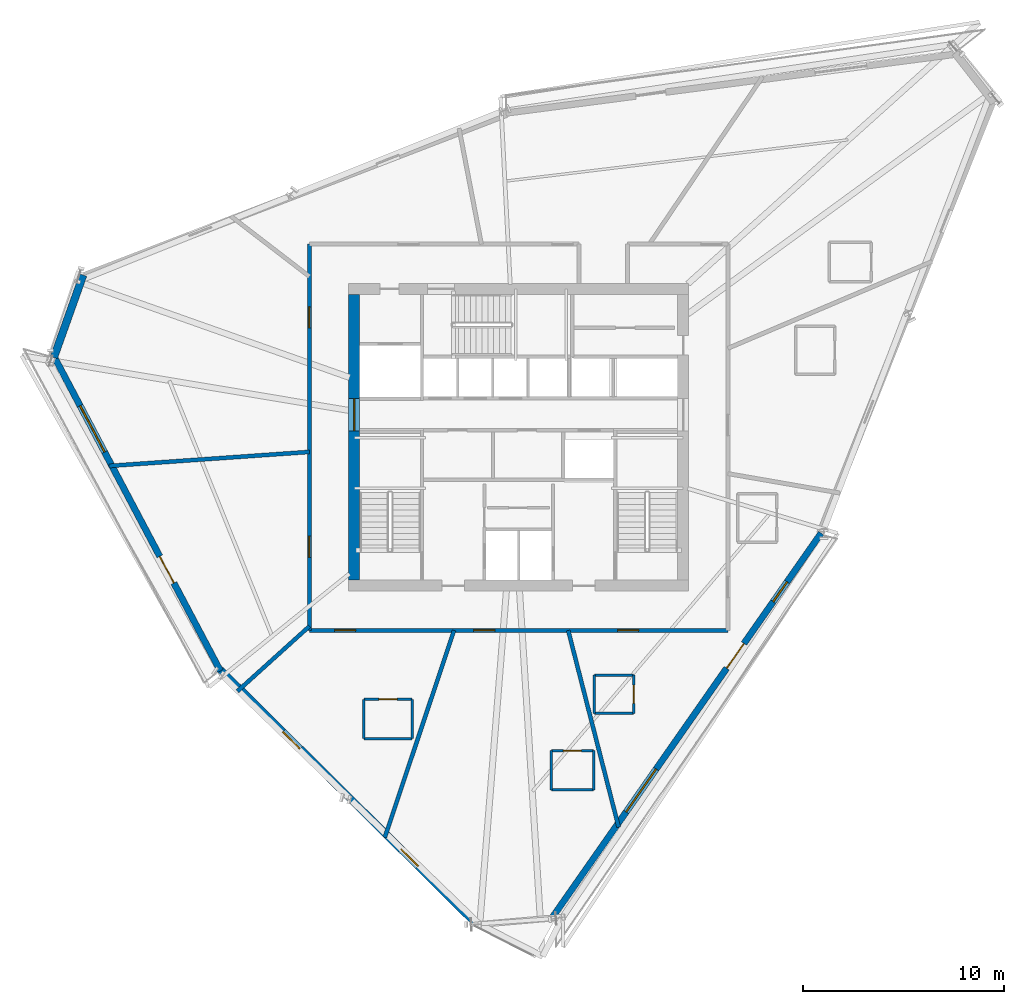
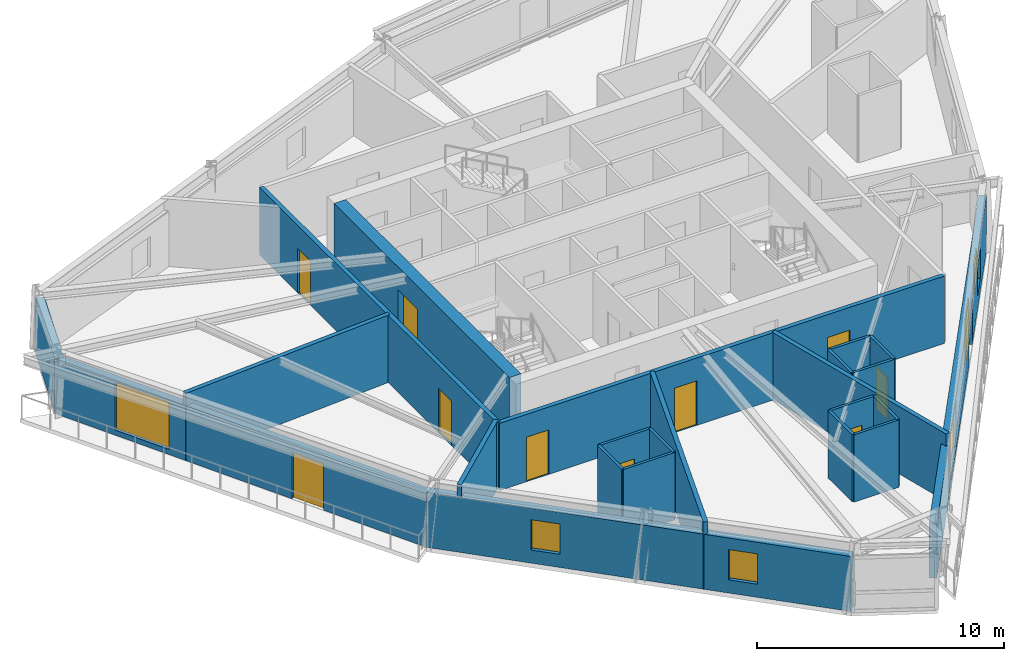
# One storey, part 7 of 13: 23 walls, 11 doors, 5 windows, 16 openings.
"""IFC4 building model written with IfcOpenShell, lengths in metres."""

from ifc_helpers import new_model, si_unit, direction, frame, frame_2d, origin, place, context, subcontext, project, spatial, rectangle, extrude, source, transform, mapped, material, layer, layer_set, type_object, type_shapes, element, fill, save


model = new_model("IFC4")

# Units and contexts
model_context = context("Model", 3, precision=1e-05, world=origin(), true_north=direction((0.0, 1.0)))
body_context = subcontext(model_context, "Body", "Model", "MODEL_VIEW")
ifc_project = project(units=[si_unit("LENGTHUNIT", "METRE"), si_unit("AREAUNIT", "SQUARE_METRE"), si_unit("VOLUMEUNIT", "CUBIC_METRE"), si_unit("PLANEANGLEUNIT", "RADIAN"), si_unit("MASSUNIT", "GRAM", prefix="KILO")], contexts=[model_context])

# Site, building, storey
site_placement = place(None, origin())
site = spatial("IfcSite", under=ifc_project, at=site_placement, CompositionType="ELEMENT")
building_placement = place(site_placement, origin())
building = spatial("IfcBuilding", under=site, at=building_placement, Name="Olszyna Solenne Hotel", CompositionType="ELEMENT")
storey_placement = place(building_placement, frame((0.0, 0.0, 189.199951171875)))
storey = spatial("IfcBuildingStorey", under=building, at=storey_placement, Name="L50", CompositionType="ELEMENT", Elevation=189.199951171875)

# Wall, opening, door
ifc_material_1 = material(Name="Concrete C50/60", Category="concrete")
ifc_layer_1 = layer(ifc_material_1, 0.550048828125, Name="Concrete C50/60")
ifc_layer_set_1 = layer_set([ifc_layer_1], Name="Concrete C50/60")
wall_type_1 = type_object("IfcWallType", Name="WL-CR550", PredefinedType="SHEAR", material=ifc_layer_set_1)
wall_1_placement = place(storey_placement, frame((29.824951171875, 19.5, 0.0), z_axis=(0.0, 0.0, 1.0), x_axis=(0.0, 1.0, 0.0)))
wall_1 = element("IfcWall", 1, at=wall_1_placement, inside=storey, type_object=wall_type_1, Name="Core shear wall WL-CR550 CRW-L50-W", PredefinedType="SHEAR", context=body_context, shape_type="SweptSolid", body=[
    extrude(rectangle(XDim=14.199951171875, YDim=0.550048828125, at=frame_2d((7.10009765625, 0.0))), origin(), (0.0, 0.0, 1.0), 3.330078125),
])
opening_1_placement = place(wall_1_placement, frame((7.419921875, 0.0, 0.0)))
opening_1 = element("IfcOpeningElement", 2, at=opening_1_placement, cuts=wall_1, Name="Opening LHD-L50-W", PredefinedType="OPENING", context=body_context, shape_type="SweptSolid", body=[
    extrude(rectangle(XDim=1.60009765625, YDim=2.199951171875, at=frame_2d((0.800048828125, 1.10009765625))), frame((0.0, 0.28515625, 0.0), z_axis=(0.0, -1.0, 0.0), x_axis=(1.0, 0.0, 0.0)), (0.0, 0.0, 1.0), 0.570068359375),
])
ifc_material_2 = material(Name="Timber hardwood", Category="wood")
door_type_1 = type_object("IfcDoorType", Name="DR-CR1", OperationType="DOUBLE_DOOR_SINGLE_SWING", PredefinedType="DOOR", material=ifc_material_2)
shared_shape_1 = source(origin(), body_context, "Body", "SweptSolid", [
    extrude(rectangle(XDim=1.60009765625, YDim=2.199951171875, at=frame_2d((0.800048828125, 1.10009765625))), frame((0.0, 0.02490234375, 0.0), z_axis=(0.0, -1.0, 0.0), x_axis=(1.0, 0.0, 0.0)), (0.0, 0.0, 1.0), 0.050048828125),
])
type_shapes(door_type_1, [shared_shape_1])
door_1_placement = place(opening_1_placement, origin())
door_1 = element("IfcDoor", 3, at=door_1_placement, inside=storey, type_object=door_type_1, Name="Passenger lift lobby West fire door LHD-L50-W", OperationType="DOUBLE_DOOR_SINGLE_SWING", OverallHeight=2.199951171875, OverallWidth=1.60009765625, PredefinedType="DOOR", context=body_context, shape_type="MappedRepresentation", body=[
    mapped(shared_shape_1, transform((0.0, 0.0, 0.0), x_axis=(1.0, 0.0, 0.0), y_axis=(0.0, 1.0, 0.0), z_axis=(0.0, 0.0, 1.0), scale=1.0)),
])
fill(opening_1, door_1)

# Wall, openings, windows, door
ifc_material_3 = material(Name="Precast concrete C45/55", Category="concrete")
ifc_layer_2 = layer(ifc_material_3, 0.320068359375, Name="Precast concrete C45/55")
ifc_layer_set_2 = layer_set([ifc_layer_2], Name="Precast concrete C45/55")
wall_type_2 = type_object("IfcWallType", Name="WL-EX320", PredefinedType="SOLIDWALL", material=ifc_layer_set_2)
wall_2_placement = place(storey_placement, frame((53.032470703125, 21.8349609375, 0.0), z_axis=(0.0, 0.0, 1.0), x_axis=(-0.573201612269, -0.819414371178, 0.0)))
wall_2 = element("IfcWall", 4, at=wall_2_placement, inside=storey, type_object=wall_type_2, Name="Exterior terracotta-precast frame wall WL-EX320 EW-L50-01", PredefinedType="SOLIDWALL", context=body_context, shape_type="SweptSolid", body=[
    extrude(rectangle(XDim=23.254638671875, YDim=0.320068359375, at=frame_2d((11.62744140625, 0.0))), origin(), (0.0, 0.0, 1.0), 2.72216796875),
])
opening_2_placement = place(wall_2_placement, frame((6.69091796875, 0.0, 0.0)))
opening_2 = element("IfcOpeningElement", 5, at=opening_2_placement, cuts=wall_2, Name="Opening LDG-L50-3", PredefinedType="OPENING", context=body_context, shape_type="SweptSolid", body=[
    extrude(rectangle(XDim=1.5, YDim=2.300048828125, at=frame_2d((0.75, 1.14990234375))), frame((0.0, 0.169921875, 0.0), z_axis=(0.0, -1.0, 0.0), x_axis=(1.0, 0.0, 0.0)), (0.0, 0.0, 1.0), 0.340087890625),
])
opening_3_placement = place(wall_2_placement, frame((14.30810546875, 0.0, 0.251953125)))
opening_3 = element("IfcOpeningElement", 6, at=opening_3_placement, cuts=wall_2, Name="Opening WN-L50-315", PredefinedType="OPENING", context=body_context, shape_type="SweptSolid", body=[
    extrude(rectangle(XDim=2.60009765625, YDim=2.35009765625, at=frame_2d((1.300048828125, 1.175048828125))), frame((0.0, 0.169921875, 0.0), z_axis=(0.0, -1.0, 0.0), x_axis=(1.0, 0.0, 0.0)), (0.0, 0.0, 1.0), 0.340087890625),
])
opening_4_placement = place(wall_2_placement, frame((2.95703125, 0.0, 0.64990234375)))
opening_4 = element("IfcOpeningElement", 7, at=opening_4_placement, cuts=wall_2, Name="Opening WN-L50-324", PredefinedType="OPENING", context=body_context, shape_type="SweptSolid", body=[
    extrude(rectangle(XDim=1.199951171875, YDim=1.5, at=frame_2d((0.60009765625, 0.75))), frame((0.0, 0.169921875, 0.0), z_axis=(0.0, -1.0, 0.0), x_axis=(1.0, 0.0, 0.0)), (0.0, 0.0, 1.0), 0.340087890625),
])
ifc_material_4 = material(Name="Low-E triple glazing", Category="glass")
window_type_1 = type_object("IfcWindowType", Name="WN-B1", PartitioningType="SINGLE_PANEL", PredefinedType="WINDOW", material=ifc_material_4)
shared_shape_2 = source(origin(), body_context, "Body", "SweptSolid", [
    extrude(rectangle(XDim=1.199951171875, YDim=1.5, at=frame_2d((0.60009765625, 0.75))), frame((0.0, 0.030029296875, 0.0), z_axis=(0.0, -1.0, 0.0), x_axis=(1.0, 0.0, 0.0)), (0.0, 0.0, 1.0), 0.06005859375),
])
type_shapes(window_type_1, [shared_shape_2])
window_1_placement = place(opening_4_placement, origin())
window_1 = element("IfcWindow", 8, at=window_1_placement, inside=storey, type_object=window_type_1, Name="Exterior facade window WN-B1 WN-L50-324", OverallHeight=1.5, OverallWidth=1.199951171875, PartitioningType="SINGLE_PANEL", PredefinedType="WINDOW", context=body_context, shape_type="MappedRepresentation", body=[
    mapped(shared_shape_2, transform((0.0, 0.0, 0.0), x_axis=(1.0, 0.0, 0.0), y_axis=(0.0, 1.0, 0.0), z_axis=(0.0, 0.0, 1.0), scale=1.0)),
])
fill(opening_4, window_1)
ifc_material_5 = material(Name="Anodised bronze aluminium", Category="aluminium")
door_type_2 = type_object("IfcDoorType", Name="DR-LG2", OperationType="DOUBLE_DOOR_SINGLE_SWING", PredefinedType="DOOR", material=ifc_material_5)
shared_shape_3 = source(origin(), body_context, "Body", "SweptSolid", [
    extrude(rectangle(XDim=1.5, YDim=2.300048828125, at=frame_2d((0.75, 1.14990234375))), frame((0.0, 0.02490234375, 0.0), z_axis=(0.0, -1.0, 0.0), x_axis=(1.0, 0.0, 0.0)), (0.0, 0.0, 1.0), 0.050048828125),
])
type_shapes(door_type_2, [shared_shape_3])
door_2_placement = place(opening_2_placement, origin())
door_2 = element("IfcDoor", 9, at=door_2_placement, inside=storey, type_object=door_type_2, Name="Exterior loggia balcony door DR-LG2 LDG-L50-3", OperationType="DOUBLE_DOOR_SINGLE_SWING", OverallHeight=2.300048828125, OverallWidth=1.5, PredefinedType="DOOR", context=body_context, shape_type="MappedRepresentation", body=[
    mapped(shared_shape_3, transform((0.0, 0.0, 0.0), x_axis=(1.0, 0.0, 0.0), y_axis=(0.0, 1.0, 0.0), z_axis=(0.0, 0.0, 1.0), scale=1.0)),
])
fill(opening_2, door_2)
window_type_2 = type_object("IfcWindowType", Name="WN-ST1", PartitioningType="SINGLE_PANEL", PredefinedType="WINDOW", material=ifc_material_4)
shared_shape_4 = source(origin(), body_context, "Body", "SweptSolid", [
    extrude(rectangle(XDim=2.60009765625, YDim=2.35009765625, at=frame_2d((1.300048828125, 1.175048828125))), frame((0.0, 0.030029296875, 0.0), z_axis=(0.0, -1.0, 0.0), x_axis=(1.0, 0.0, 0.0)), (0.0, 0.0, 1.0), 0.06005859375),
])
type_shapes(window_type_2, [shared_shape_4])
window_2_placement = place(opening_3_placement, origin())
window_2 = element("IfcWindow", 10, at=window_2_placement, inside=storey, type_object=window_type_2, Name="Loggia room window WN-ST1 WN-L50-315", OverallHeight=2.35009765625, OverallWidth=2.60009765625, PartitioningType="SINGLE_PANEL", PredefinedType="WINDOW", context=body_context, shape_type="MappedRepresentation", body=[
    mapped(shared_shape_4, transform((0.0, 0.0, 0.0), x_axis=(1.0, 0.0, 0.0), y_axis=(0.0, 1.0, 0.0), z_axis=(0.0, 0.0, 1.0), scale=1.0)),
])
fill(opening_3, window_2)

# Wall, openings, door, window
wall_3_placement = place(storey_placement, frame((23.174072265625, 14.987060546875, 0.0), z_axis=(0.0, 0.0, 1.0), x_axis=(-0.467564707415, 0.883958847673, 0.0)))
wall_3 = element("IfcWall", 11, at=wall_3_placement, inside=storey, type_object=wall_type_2, Name="Exterior terracotta-precast frame wall WL-EX320 EW-L50-05", PredefinedType="SOLIDWALL", context=body_context, shape_type="SweptSolid", body=[
    extrude(rectangle(XDim=17.781982421875, YDim=0.320068359375, at=frame_2d((8.89111328125, 0.0))), origin(), (0.0, 0.0, 1.0), 2.72216796875),
])
opening_5_placement = place(wall_3_placement, frame((4.93994140625, 0.0, 0.0)))
opening_5 = element("IfcOpeningElement", 12, at=opening_5_placement, cuts=wall_3, Name="Opening LDG-L50-2", PredefinedType="OPENING", context=body_context, shape_type="SweptSolid", body=[
    extrude(rectangle(XDim=1.5, YDim=2.300048828125, at=frame_2d((0.75, 1.14990234375))), frame((0.0, 0.169921875, 0.0), z_axis=(0.0, -1.0, 0.0), x_axis=(1.0, 0.0, 0.0)), (0.0, 0.0, 1.0), 0.340087890625),
])
opening_6_placement = place(wall_3_placement, frame((12.30908203125, 0.0, 0.251953125)))
opening_6 = element("IfcOpeningElement", 13, at=opening_6_placement, cuts=wall_3, Name="Opening WN-L50-318", PredefinedType="OPENING", context=body_context, shape_type="SweptSolid", body=[
    extrude(rectangle(XDim=2.60009765625, YDim=2.35009765625, at=frame_2d((1.300048828125, 1.175048828125))), frame((0.0, 0.169921875, 0.0), z_axis=(0.0, -1.0, 0.0), x_axis=(1.0, 0.0, 0.0)), (0.0, 0.0, 1.0), 0.340087890625),
])
door_3_placement = place(opening_5_placement, origin())
door_3 = element("IfcDoor", 14, at=door_3_placement, inside=storey, type_object=door_type_2, Name="Exterior loggia balcony door DR-LG2 LDG-L50-2", OperationType="DOUBLE_DOOR_SINGLE_SWING", OverallHeight=2.300048828125, OverallWidth=1.5, PredefinedType="DOOR", context=body_context, shape_type="MappedRepresentation", body=[
    mapped(shared_shape_3, transform((0.0, 0.0, 0.0), x_axis=(1.0, 0.0, 0.0), y_axis=(0.0, 1.0, 0.0), z_axis=(0.0, 0.0, 1.0), scale=1.0)),
])
fill(opening_5, door_3)
window_3_placement = place(opening_6_placement, origin())
window_3 = element("IfcWindow", 15, at=window_3_placement, inside=storey, type_object=window_type_2, Name="Loggia room window WN-ST1 WN-L50-318", OverallHeight=2.35009765625, OverallWidth=2.60009765625, PartitioningType="SINGLE_PANEL", PredefinedType="WINDOW", context=body_context, shape_type="MappedRepresentation", body=[
    mapped(shared_shape_4, transform((0.0, 0.0, 0.0), x_axis=(1.0, 0.0, 0.0), y_axis=(0.0, 1.0, 0.0), z_axis=(0.0, 0.0, 1.0), scale=1.0)),
])
fill(opening_6, window_3)

# Wall, openings, windows
ifc_material_6 = material(Name="Terracotta cladding on precast concrete C45/55", Category="masonry")
ifc_layer_3 = layer(ifc_material_6, 0.3798828125, Name="Terracotta cladding on precast concrete C45/55")
ifc_layer_set_3 = layer_set([ifc_layer_3], Name="Terracotta cladding on precast concrete C45/55")
wall_type_3 = type_object("IfcWallType", Name="WL-EX380", PredefinedType="SOLIDWALL", material=ifc_layer_set_3)
wall_4_placement = place(storey_placement, frame((35.789794921875, 2.5234375, 0.0), z_axis=(0.0, 0.0, 1.0), x_axis=(-0.709902124229, 0.704300343614, 0.0)))
wall_4 = element("IfcWall", 16, at=wall_4_placement, inside=storey, type_object=wall_type_3, Name="Exterior terracotta-precast frame wall WL-EX380 EW-L50-04", PredefinedType="SOLIDWALL", context=body_context, shape_type="SweptSolid", body=[
    extrude(rectangle(XDim=17.78173828125, YDim=0.3798828125, at=frame_2d((8.890869140625, 0.0))), origin(), (0.0, 0.0, 1.0), 2.72216796875),
])
opening_7_placement = place(wall_4_placement, frame((3.928955078125, 0.0, 0.64990234375)))
opening_7 = element("IfcOpeningElement", 17, at=opening_7_placement, cuts=wall_4, Name="Opening WN-L50-316", PredefinedType="OPENING", context=body_context, shape_type="SweptSolid", body=[
    extrude(rectangle(XDim=1.199951171875, YDim=1.5, at=frame_2d((0.60009765625, 0.75))), frame((0.0, 0.199951171875, 0.0), z_axis=(0.0, -1.0, 0.0), x_axis=(1.0, 0.0, 0.0)), (0.0, 0.0, 1.0), 0.39990234375),
])
opening_8_placement = place(wall_4_placement, frame((12.202880859375, 0.0, 0.64990234375)))
opening_8 = element("IfcOpeningElement", 18, at=opening_8_placement, cuts=wall_4, Name="Opening WN-L50-317", PredefinedType="OPENING", context=body_context, shape_type="SweptSolid", body=[
    extrude(rectangle(XDim=1.199951171875, YDim=1.5, at=frame_2d((0.60009765625, 0.75))), frame((0.0, 0.199951171875, 0.0), z_axis=(0.0, -1.0, 0.0), x_axis=(1.0, 0.0, 0.0)), (0.0, 0.0, 1.0), 0.39990234375),
])
window_4_placement = place(opening_7_placement, origin())
window_4 = element("IfcWindow", 19, at=window_4_placement, inside=storey, type_object=window_type_1, Name="Exterior facade window WN-B1 WN-L50-316", OverallHeight=1.5, OverallWidth=1.199951171875, PartitioningType="SINGLE_PANEL", PredefinedType="WINDOW", context=body_context, shape_type="MappedRepresentation", body=[
    mapped(shared_shape_2, transform((0.0, 0.0, 0.0), x_axis=(1.0, 0.0, 0.0), y_axis=(0.0, 1.0, 0.0), z_axis=(0.0, 0.0, 1.0), scale=1.0)),
])
fill(opening_7, window_4)
window_5_placement = place(opening_8_placement, origin())
window_5 = element("IfcWindow", 20, at=window_5_placement, inside=storey, type_object=window_type_1, Name="Exterior facade window WN-B1 WN-L50-317", OverallHeight=1.5, OverallWidth=1.199951171875, PartitioningType="SINGLE_PANEL", PredefinedType="WINDOW", context=body_context, shape_type="MappedRepresentation", body=[
    mapped(shared_shape_2, transform((0.0, 0.0, 0.0), x_axis=(1.0, 0.0, 0.0), y_axis=(0.0, 1.0, 0.0), z_axis=(0.0, 0.0, 1.0), scale=1.0)),
])
fill(opening_8, window_5)

# Walls
wall_5_placement = place(storey_placement, frame((14.8974609375, 30.56689453125, 0.0), z_axis=(0.0, 0.0, 1.0), x_axis=(0.335397298071, 0.942076776302, 0.0)))
element("IfcWall", 21, at=wall_5_placement, inside=storey, type_object=wall_type_3, Name="Exterior terracotta-precast frame wall WL-EX380 EW-L50-06", PredefinedType="SOLIDWALL", context=body_context, shape_type="SweptSolid", body=[
    extrude(rectangle(XDim=4.3486328125, YDim=0.3798828125, at=frame_2d((2.17431640625, 0.0))), origin(), (0.0, 0.0, 1.0), 2.72216796875),
])
ifc_material_7 = material(Name="Acoustic gypsum partition", Category="gypsum")
ifc_layer_4 = layer(ifc_material_7, 0.125, Name="Acoustic gypsum partition")
ifc_layer_set_4 = layer_set([ifc_layer_4], Name="Acoustic gypsum partition")
wall_type_4 = type_object("IfcWallType", Name="WL-PT125", PredefinedType="PARTITIONING", material=ifc_layer_set_4)
wall_6_placement = place(storey_placement, frame((41.720947265625, 9.08203125, 0.0), z_axis=(0.0, 0.0, 1.0), x_axis=(0.0, 1.0, 0.0)))
element("IfcWall", 22, at=wall_6_placement, inside=storey, type_object=wall_type_4, Name="Interior acoustic partition WL-PT125 PW-L50-2825", PredefinedType="PARTITIONING", context=body_context, shape_type="SweptSolid", body=[
    extrude(rectangle(XDim=1.949951171875, YDim=0.125, at=frame_2d((0.97509765625, 0.0))), origin(), (0.0, 0.0, 1.0), 3.330078125),
])

# Wall, opening, door
wall_7_placement = place(storey_placement, frame((41.720947265625, 11.031982421875, 0.0), z_axis=(0.0, 0.0, 1.0), x_axis=(-1.0, 0.0, 0.0)))
wall_7 = element("IfcWall", 23, at=wall_7_placement, inside=storey, type_object=wall_type_4, Name="Interior acoustic partition WL-PT125 PW-L50-2826", PredefinedType="PARTITIONING", context=body_context, shape_type="SweptSolid", body=[
    extrude(rectangle(XDim=2.099853515625, YDim=0.125, at=frame_2d((1.0498046875, 0.0))), origin(), (0.0, 0.0, 1.0), 3.330078125),
])
opening_9_placement = place(wall_7_placement, frame((0.60009765625, 0.0, 0.0)))
opening_9 = element("IfcOpeningElement", 24, at=opening_9_placement, cuts=wall_7, Name="Opening DR-L50-0684", PredefinedType="OPENING", context=body_context, shape_type="SweptSolid", body=[
    extrude(rectangle(XDim=0.89990234375, YDim=2.10009765625, at=frame_2d((0.449951171875, 1.050048828125))), frame((0.0, 0.072509765625, 0.0), z_axis=(0.0, -1.0, 0.0), x_axis=(1.0, 0.0, 0.0)), (0.0, 0.0, 1.0), 0.14501953125),
])
door_type_3 = type_object("IfcDoorType", Name="DR-WC1", OperationType="NOTDEFINED", PredefinedType="DOOR", material=ifc_material_2)
shared_shape_5 = source(origin(), body_context, "Body", "SweptSolid", [
    extrude(rectangle(XDim=0.89990234375, YDim=2.10009765625, at=frame_2d((0.449951171875, 1.050048828125))), frame((0.0, 0.02490234375, 0.0), z_axis=(0.0, -1.0, 0.0), x_axis=(1.0, 0.0, 0.0)), (0.0, 0.0, 1.0), 0.050048828125),
])
type_shapes(door_type_3, [shared_shape_5])
door_4_placement = place(opening_9_placement, origin())
door_4 = element("IfcDoor", 25, at=door_4_placement, inside=storey, type_object=door_type_3, Name="En-Suite Bathroom Door DR-L50-0684", OperationType="SINGLE_SWING_RIGHT", OverallHeight=2.10009765625, OverallWidth=0.89990234375, PredefinedType="DOOR", context=body_context, shape_type="MappedRepresentation", body=[
    mapped(shared_shape_5, transform((0.0, 0.0, 0.0), x_axis=(1.0, 0.0, 0.0), y_axis=(0.0, 1.0, 0.0), z_axis=(0.0, 0.0, 1.0), scale=1.0)),
])
fill(opening_9, door_4)

# Walls
wall_8_placement = place(storey_placement, frame((39.62109375, 11.031982421875, 0.0), z_axis=(0.0, 0.0, 1.0), x_axis=(0.0, -1.0, 0.0)))
element("IfcWall", 26, at=wall_8_placement, inside=storey, type_object=wall_type_4, Name="Interior acoustic partition WL-PT125 PW-L50-2827", PredefinedType="PARTITIONING", context=body_context, shape_type="SweptSolid", body=[
    extrude(rectangle(XDim=1.949951171875, YDim=0.125, at=frame_2d((0.97509765625, 0.0))), origin(), (0.0, 0.0, 1.0), 3.330078125),
])
wall_9_placement = place(storey_placement, frame((39.62109375, 9.08203125, 0.0), z_axis=(0.0, 0.0, 1.0), x_axis=(1.0, 0.0, 0.0)))
element("IfcWall", 27, at=wall_9_placement, inside=storey, type_object=wall_type_4, Name="Interior acoustic partition WL-PT125 PW-L50-2828", PredefinedType="PARTITIONING", context=body_context, shape_type="SweptSolid", body=[
    extrude(rectangle(XDim=2.099853515625, YDim=0.125, at=frame_2d((1.0498046875, 0.0))), origin(), (0.0, 0.0, 1.0), 3.330078125),
])

# Wall, opening, door
wall_10_placement = place(storey_placement, frame((43.7109375, 12.87890625, 0.0), z_axis=(0.0, 0.0, 1.0), x_axis=(0.0, 1.0, 0.0)))
wall_10 = element("IfcWall", 28, at=wall_10_placement, inside=storey, type_object=wall_type_4, Name="Interior acoustic partition WL-PT125 PW-L50-2829", PredefinedType="PARTITIONING", context=body_context, shape_type="SweptSolid", body=[
    extrude(rectangle(XDim=1.900146484375, YDim=0.125, at=frame_2d((0.9501953125, 0.0))), origin(), (0.0, 0.0, 1.0), 3.330078125),
])
opening_10_placement = place(wall_10_placement, frame((0.5, 0.0, 0.0)))
opening_10 = element("IfcOpeningElement", 29, at=opening_10_placement, cuts=wall_10, Name="Opening DR-L50-0685", PredefinedType="OPENING", context=body_context, shape_type="SweptSolid", body=[
    extrude(rectangle(XDim=0.89990234375, YDim=2.10009765625, at=frame_2d((0.449951171875, 1.050048828125))), frame((0.0, 0.072509765625, 0.0), z_axis=(0.0, -1.0, 0.0), x_axis=(1.0, 0.0, 0.0)), (0.0, 0.0, 1.0), 0.14501953125),
])
door_5_placement = place(opening_10_placement, origin())
door_5 = element("IfcDoor", 30, at=door_5_placement, inside=storey, type_object=door_type_3, Name="En-Suite Bathroom Door DR-L50-0685", OperationType="SINGLE_SWING_LEFT", OverallHeight=2.10009765625, OverallWidth=0.89990234375, PredefinedType="DOOR", context=body_context, shape_type="MappedRepresentation", body=[
    mapped(shared_shape_5, transform((0.0, 0.0, 0.0), x_axis=(1.0, 0.0, 0.0), y_axis=(0.0, 1.0, 0.0), z_axis=(0.0, 0.0, 1.0), scale=1.0)),
])
fill(opening_10, door_5)

# Walls
wall_11_placement = place(storey_placement, frame((43.7109375, 14.779052734375, 0.0), z_axis=(0.0, 0.0, 1.0), x_axis=(-1.0, 0.0, 0.0)))
element("IfcWall", 31, at=wall_11_placement, inside=storey, type_object=wall_type_4, Name="Interior acoustic partition WL-PT125 PW-L50-2830", PredefinedType="PARTITIONING", context=body_context, shape_type="SweptSolid", body=[
    extrude(rectangle(XDim=1.949951171875, YDim=0.125, at=frame_2d((0.97509765625, 0.0))), origin(), (0.0, 0.0, 1.0), 3.330078125),
])
wall_12_placement = place(storey_placement, frame((41.760986328125, 14.779052734375, 0.0), z_axis=(0.0, 0.0, 1.0), x_axis=(0.0, -1.0, 0.0)))
element("IfcWall", 32, at=wall_12_placement, inside=storey, type_object=wall_type_4, Name="Interior acoustic partition WL-PT125 PW-L50-2831", PredefinedType="PARTITIONING", context=body_context, shape_type="SweptSolid", body=[
    extrude(rectangle(XDim=1.900146484375, YDim=0.125, at=frame_2d((0.9501953125, 0.0))), origin(), (0.0, 0.0, 1.0), 3.330078125),
])
wall_13_placement = place(storey_placement, frame((41.760986328125, 12.87890625, 0.0), z_axis=(0.0, 0.0, 1.0), x_axis=(1.0, 0.0, 0.0)))
element("IfcWall", 33, at=wall_13_placement, inside=storey, type_object=wall_type_4, Name="Interior acoustic partition WL-PT125 PW-L50-2832", PredefinedType="PARTITIONING", context=body_context, shape_type="SweptSolid", body=[
    extrude(rectangle(XDim=1.949951171875, YDim=0.125, at=frame_2d((0.97509765625, 0.0))), origin(), (0.0, 0.0, 1.0), 3.330078125),
])
wall_14_placement = place(storey_placement, frame((32.7060546875, 11.6298828125, 0.0), z_axis=(0.0, 0.0, 1.0), x_axis=(0.0, 1.0, 0.0)))
element("IfcWall", 34, at=wall_14_placement, inside=storey, type_object=wall_type_4, Name="Interior acoustic partition WL-PT125 PW-L50-2845", PredefinedType="PARTITIONING", context=body_context, shape_type="SweptSolid", body=[
    extrude(rectangle(XDim=1.9501953125, YDim=0.125, at=frame_2d((0.97509765625, 0.0))), origin(), (0.0, 0.0, 1.0), 3.330078125),
])

# Wall, opening, door
wall_15_placement = place(storey_placement, frame((32.7060546875, 13.580078125, 0.0), z_axis=(0.0, 0.0, 1.0), x_axis=(-1.0, 0.0, 0.0)))
wall_15 = element("IfcWall", 35, at=wall_15_placement, inside=storey, type_object=wall_type_4, Name="Interior acoustic partition WL-PT125 PW-L50-2846", PredefinedType="PARTITIONING", context=body_context, shape_type="SweptSolid", body=[
    extrude(rectangle(XDim=2.400146484375, YDim=0.125, at=frame_2d((1.2001953125, 0.0))), origin(), (0.0, 0.0, 1.0), 3.330078125),
])
opening_11_placement = place(wall_15_placement, frame((0.75, 0.0, 0.0)))
opening_11 = element("IfcOpeningElement", 36, at=opening_11_placement, cuts=wall_15, Name="Opening DR-L50-0689", PredefinedType="OPENING", context=body_context, shape_type="SweptSolid", body=[
    extrude(rectangle(XDim=0.89990234375, YDim=2.10009765625, at=frame_2d((0.449951171875, 1.050048828125))), frame((0.0, 0.072509765625, 0.0), z_axis=(0.0, -1.0, 0.0), x_axis=(1.0, 0.0, 0.0)), (0.0, 0.0, 1.0), 0.14501953125),
])
door_6_placement = place(opening_11_placement, origin())
door_6 = element("IfcDoor", 37, at=door_6_placement, inside=storey, type_object=door_type_3, Name="En-Suite Bathroom Door DR-L50-0689", OperationType="SINGLE_SWING_RIGHT", OverallHeight=2.10009765625, OverallWidth=0.89990234375, PredefinedType="DOOR", context=body_context, shape_type="MappedRepresentation", body=[
    mapped(shared_shape_5, transform((0.0, 0.0, 0.0), x_axis=(1.0, 0.0, 0.0), y_axis=(0.0, 1.0, 0.0), z_axis=(0.0, 0.0, 1.0), scale=1.0)),
])
fill(opening_11, door_6)

# Walls
wall_16_placement = place(storey_placement, frame((30.305908203125, 13.580078125, 0.0), z_axis=(0.0, 0.0, 1.0), x_axis=(0.0, -1.0, 0.0)))
element("IfcWall", 38, at=wall_16_placement, inside=storey, type_object=wall_type_4, Name="Interior acoustic partition WL-PT125 PW-L50-2847", PredefinedType="PARTITIONING", context=body_context, shape_type="SweptSolid", body=[
    extrude(rectangle(XDim=1.9501953125, YDim=0.125, at=frame_2d((0.97509765625, 0.0))), origin(), (0.0, 0.0, 1.0), 3.330078125),
])
wall_17_placement = place(storey_placement, frame((30.305908203125, 11.6298828125, 0.0), z_axis=(0.0, 0.0, 1.0), x_axis=(1.0, 0.0, 0.0)))
element("IfcWall", 39, at=wall_17_placement, inside=storey, type_object=wall_type_4, Name="Interior acoustic partition WL-PT125 PW-L50-2848", PredefinedType="PARTITIONING", context=body_context, shape_type="SweptSolid", body=[
    extrude(rectangle(XDim=2.400146484375, YDim=0.125, at=frame_2d((1.2001953125, 0.0))), origin(), (0.0, 0.0, 1.0), 3.330078125),
])
ifc_layer_5 = layer(ifc_material_7, 0.199951171875, Name="Acoustic gypsum partition")
ifc_layer_set_5 = layer_set([ifc_layer_5], Name="Acoustic gypsum partition")
wall_type_5 = type_object("IfcWallType", Name="WL-PT200", PredefinedType="PARTITIONING", material=ifc_layer_set_5)
wall_18_placement = place(storey_placement, frame((34.787841796875, 17.0, 0.0), z_axis=(0.0, 0.0, 1.0), x_axis=(-0.317307373574, -0.94832274605, 0.0)))
element("IfcWall", 40, at=wall_18_placement, inside=storey, type_object=wall_type_5, Name="Interior acoustic partition WL-PT200 PW-L50-2816", PredefinedType="PARTITIONING", context=body_context, shape_type="SweptSolid", body=[
    extrude(rectangle(XDim=10.8525390625, YDim=0.199951171875, at=frame_2d((5.42626953125, 0.0))), origin(), (0.0, 0.0, 1.0), 3.330078125),
])
wall_19_placement = place(storey_placement, frame((40.462158203125, 17.0, 0.0), z_axis=(0.0, 0.0, 1.0), x_axis=(0.248410266706, -0.968654912441, 0.0)))
element("IfcWall", 41, at=wall_19_placement, inside=storey, type_object=wall_type_5, Name="Interior acoustic partition WL-PT200 PW-L50-2817", PredefinedType="PARTITIONING", context=body_context, shape_type="SweptSolid", body=[
    extrude(rectangle(XDim=10.093505859375, YDim=0.199951171875, at=frame_2d((5.046875, 0.0))), origin(), (0.0, 0.0, 1.0), 3.330078125),
])
wall_20_placement = place(storey_placement, frame((27.60009765625, 25.872802734375, 0.0), z_axis=(0.0, 0.0, 1.0), x_axis=(-0.997563086445, -0.069770255568, 0.0)))
element("IfcWall", 42, at=wall_20_placement, inside=storey, type_object=wall_type_5, Name="Interior acoustic partition WL-PT200 PW-L50-2823", PredefinedType="PARTITIONING", context=body_context, shape_type="SweptSolid", body=[
    extrude(rectangle(XDim=9.98681640625, YDim=0.199951171875, at=frame_2d((4.993408203125, 0.0))), origin(), (0.0, 0.0, 1.0), 3.330078125),
])
wall_21_placement = place(storey_placement, frame((27.60009765625, 17.21044921875, 0.0), z_axis=(0.0, 0.0, 1.0), x_axis=(-0.742259303299, -0.670112771603, 0.0)))
element("IfcWall", 43, at=wall_21_placement, inside=storey, type_object=wall_type_5, Name="Interior acoustic partition WL-PT200 PW-L50-2824", PredefinedType="PARTITIONING", context=body_context, shape_type="SweptSolid", body=[
    extrude(rectangle(XDim=4.825439453125, YDim=0.199951171875, at=frame_2d((2.41259765625, 0.0))), origin(), (0.0, 0.0, 1.0), 3.330078125),
])

# Wall, openings, doors
wall_22_placement = place(storey_placement, frame((27.60009765625, 17.0, 0.0), z_axis=(0.0, 0.0, 1.0), x_axis=(1.0, 0.0, 0.0)))
wall_22 = element("IfcWall", 44, at=wall_22_placement, inside=storey, type_object=wall_type_5, Name="Interior acoustic partition WL-PT200 PW-L50-2849", PredefinedType="PARTITIONING", context=body_context, shape_type="SweptSolid", body=[
    extrude(rectangle(XDim=20.7998046875, YDim=0.199951171875, at=frame_2d((10.39990234375, 0.0))), origin(), (0.0, 0.0, 1.0), 3.330078125),
])
opening_12_placement = place(wall_22_placement, frame((8.1640625, 0.0, 0.0)))
opening_12 = element("IfcOpeningElement", 45, at=opening_12_placement, cuts=wall_22, Name="Opening DR-L50-0690", PredefinedType="OPENING", context=body_context, shape_type="SweptSolid", body=[
    extrude(rectangle(XDim=1.050048828125, YDim=2.199951171875, at=frame_2d((0.52490234375, 1.10009765625))), frame((0.0, 0.10986328125, 0.0), z_axis=(0.0, -1.0, 0.0), x_axis=(1.0, 0.0, 0.0)), (0.0, 0.0, 1.0), 0.219970703125),
])
opening_13_placement = place(wall_22_placement, frame((15.31689453125, 0.0, 0.0)))
opening_13 = element("IfcOpeningElement", 46, at=opening_13_placement, cuts=wall_22, Name="Opening DR-L50-0691", PredefinedType="OPENING", context=body_context, shape_type="SweptSolid", body=[
    extrude(rectangle(XDim=1.050048828125, YDim=2.199951171875, at=frame_2d((0.52490234375, 1.10009765625))), frame((0.0, 0.10986328125, 0.0), z_axis=(0.0, -1.0, 0.0), x_axis=(1.0, 0.0, 0.0)), (0.0, 0.0, 1.0), 0.219970703125),
])
opening_14_placement = place(wall_22_placement, frame((1.25, 0.0, 0.0)))
opening_14 = element("IfcOpeningElement", 47, at=opening_14_placement, cuts=wall_22, Name="Opening DR-L50-0692", PredefinedType="OPENING", context=body_context, shape_type="SweptSolid", body=[
    extrude(rectangle(XDim=1.050048828125, YDim=2.199951171875, at=frame_2d((0.52490234375, 1.10009765625))), frame((0.0, 0.10986328125, 0.0), z_axis=(0.0, -1.0, 0.0), x_axis=(1.0, 0.0, 0.0)), (0.0, 0.0, 1.0), 0.219970703125),
])
door_type_4 = type_object("IfcDoorType", Name="DR-RM2", OperationType="NOTDEFINED", PredefinedType="DOOR", material=ifc_material_2)
shared_shape_6 = source(origin(), body_context, "Body", "SweptSolid", [
    extrude(rectangle(XDim=1.050048828125, YDim=2.199951171875, at=frame_2d((0.52490234375, 1.10009765625))), frame((0.0, 0.02490234375, 0.0), z_axis=(0.0, -1.0, 0.0), x_axis=(1.0, 0.0, 0.0)), (0.0, 0.0, 1.0), 0.050048828125),
])
type_shapes(door_type_4, [shared_shape_6])
door_7_placement = place(opening_12_placement, origin())
door_7 = element("IfcDoor", 48, at=door_7_placement, inside=storey, type_object=door_type_4, Name="Deluxe Hotel Guestroom Entrance Door DR-L50-0690", OperationType="SINGLE_SWING_LEFT", OverallHeight=2.199951171875, OverallWidth=1.050048828125, PredefinedType="DOOR", context=body_context, shape_type="MappedRepresentation", body=[
    mapped(shared_shape_6, transform((0.0, 0.0, 0.0), x_axis=(1.0, 0.0, 0.0), y_axis=(0.0, 1.0, 0.0), z_axis=(0.0, 0.0, 1.0), scale=1.0)),
])
fill(opening_12, door_7)
door_8_placement = place(opening_13_placement, origin())
door_8 = element("IfcDoor", 49, at=door_8_placement, inside=storey, type_object=door_type_4, Name="Deluxe Hotel Guestroom Entrance Door DR-L50-0691", OperationType="SINGLE_SWING_RIGHT", OverallHeight=2.199951171875, OverallWidth=1.050048828125, PredefinedType="DOOR", context=body_context, shape_type="MappedRepresentation", body=[
    mapped(shared_shape_6, transform((0.0, 0.0, 0.0), x_axis=(1.0, 0.0, 0.0), y_axis=(0.0, 1.0, 0.0), z_axis=(0.0, 0.0, 1.0), scale=1.0)),
])
fill(opening_13, door_8)
door_9_placement = place(opening_14_placement, origin())
door_9 = element("IfcDoor", 50, at=door_9_placement, inside=storey, type_object=door_type_4, Name="Executive Reading Salon Entrance Door DR-L50-0692", OperationType="SINGLE_SWING_RIGHT", OverallHeight=2.199951171875, OverallWidth=1.050048828125, PredefinedType="DOOR", context=body_context, shape_type="MappedRepresentation", body=[
    mapped(shared_shape_6, transform((0.0, 0.0, 0.0), x_axis=(1.0, 0.0, 0.0), y_axis=(0.0, 1.0, 0.0), z_axis=(0.0, 0.0, 1.0), scale=1.0)),
])
fill(opening_14, door_9)

wall_23_placement = place(storey_placement, frame((27.60009765625, 17.0, 0.0), z_axis=(0.0, 0.0, 1.0), x_axis=(0.0, 1.0, 0.0)))
wall_23 = element("IfcWall", 51, at=wall_23_placement, inside=storey, type_object=wall_type_5, Name="Interior acoustic partition WL-PT200 PW-L50-2850", PredefinedType="PARTITIONING", context=body_context, shape_type="SweptSolid", body=[
    extrude(rectangle(XDim=19.199951171875, YDim=0.199951171875, at=frame_2d((9.60009765625, 0.0))), origin(), (0.0, 0.0, 1.0), 3.330078125),
])
opening_15_placement = place(wall_23_placement, frame((15.037109375, 0.0, 0.0)))
opening_15 = element("IfcOpeningElement", 52, at=opening_15_placement, cuts=wall_23, Name="Opening DR-L50-0693", PredefinedType="OPENING", context=body_context, shape_type="SweptSolid", body=[
    extrude(rectangle(XDim=1.050048828125, YDim=2.199951171875, at=frame_2d((0.52490234375, 1.10009765625))), frame((0.0, 0.10986328125, 0.0), z_axis=(0.0, -1.0, 0.0), x_axis=(1.0, 0.0, 0.0)), (0.0, 0.0, 1.0), 0.219970703125),
])
opening_16_placement = place(wall_23_placement, frame((3.635009765625, 0.0, 0.0)))
opening_16 = element("IfcOpeningElement", 53, at=opening_16_placement, cuts=wall_23, Name="Opening DR-L50-0694", PredefinedType="OPENING", context=body_context, shape_type="SweptSolid", body=[
    extrude(rectangle(XDim=1.050048828125, YDim=2.199951171875, at=frame_2d((0.52490234375, 1.10009765625))), frame((0.0, 0.10986328125, 0.0), z_axis=(0.0, -1.0, 0.0), x_axis=(1.0, 0.0, 0.0)), (0.0, 0.0, 1.0), 0.219970703125),
])
door_10_placement = place(opening_15_placement, origin())
door_10 = element("IfcDoor", 54, at=door_10_placement, inside=storey, type_object=door_type_4, Name="Breakfast Tasting Salon Entrance Door DR-L50-0693", OperationType="SINGLE_SWING_RIGHT", OverallHeight=2.199951171875, OverallWidth=1.050048828125, PredefinedType="DOOR", context=body_context, shape_type="MappedRepresentation", body=[
    mapped(shared_shape_6, transform((0.0, 0.0, 0.0), x_axis=(1.0, 0.0, 0.0), y_axis=(0.0, 1.0, 0.0), z_axis=(0.0, 0.0, 1.0), scale=1.0)),
])
fill(opening_15, door_10)
door_11_placement = place(opening_16_placement, origin())
door_11 = element("IfcDoor", 55, at=door_11_placement, inside=storey, type_object=door_type_4, Name="Private Business Office Entrance Door DR-L50-0694", OperationType="SINGLE_SWING_LEFT", OverallHeight=2.199951171875, OverallWidth=1.050048828125, PredefinedType="DOOR", context=body_context, shape_type="MappedRepresentation", body=[
    mapped(shared_shape_6, transform((0.0, 0.0, 0.0), x_axis=(1.0, 0.0, 0.0), y_axis=(0.0, 1.0, 0.0), z_axis=(0.0, 0.0, 1.0), scale=1.0)),
])
fill(opening_16, door_11)

save(model, "model.ifc")
